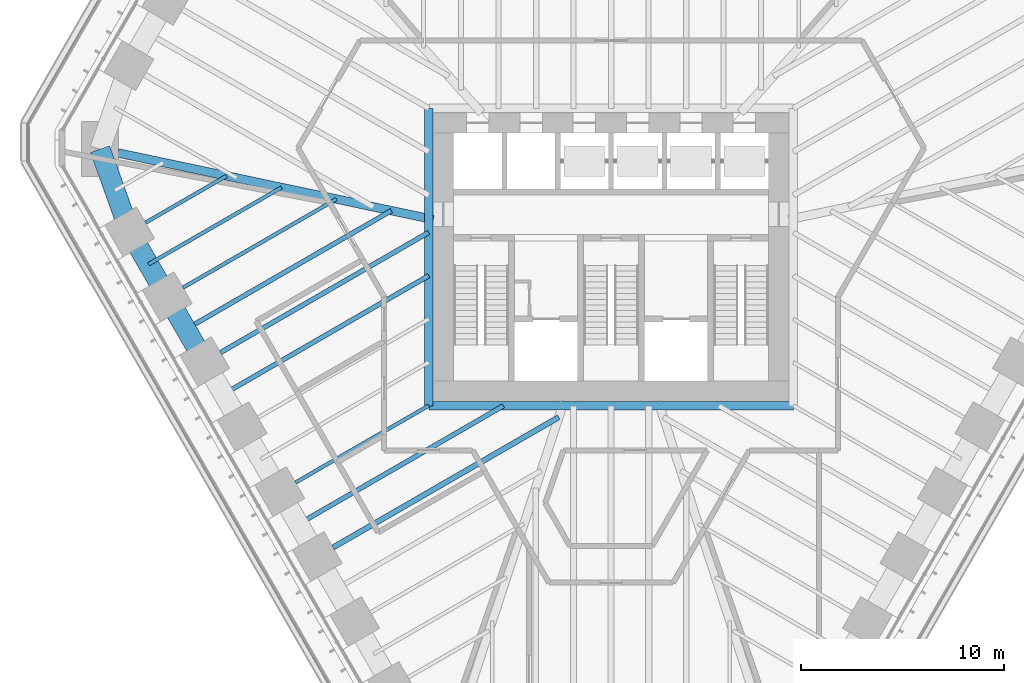
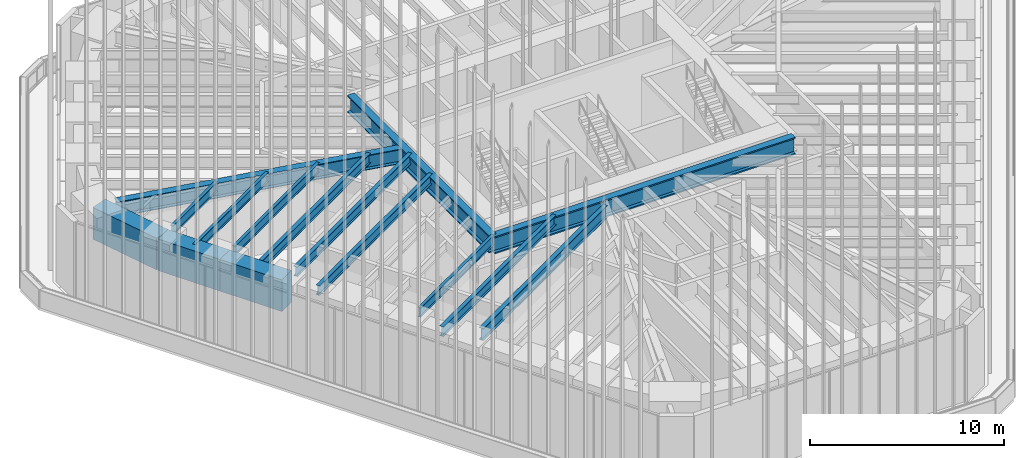
# One storey, part 68 of 228: 15 beams.
"""IFC4 building model written with IfcOpenShell, lengths in metres."""

from ifc_helpers import new_model, si_unit, direction, frame, origin, origin_2d, place, context, subcontext, project, spatial, rectangle, i_section, extrude, material, material_profile, profile_set, type_object, element, save


model = new_model("IFC4")

# Units and contexts
model_context = context("Model", 3, precision=1e-05, world=origin(), true_north=direction((0.0, 1.0)))
body_context = subcontext(model_context, "Body", "Model", "MODEL_VIEW")
ifc_project = project(units=[si_unit("LENGTHUNIT", "METRE"), si_unit("AREAUNIT", "SQUARE_METRE"), si_unit("VOLUMEUNIT", "CUBIC_METRE"), si_unit("PLANEANGLEUNIT", "RADIAN"), si_unit("MASSUNIT", "GRAM", prefix="KILO")], contexts=[model_context])

# Site, building, storey
site_placement = place(None, origin())
site = spatial("IfcSite", under=ifc_project, at=site_placement, CompositionType="ELEMENT")
building_placement = place(site_placement, origin())
building = spatial("IfcBuilding", under=site, at=building_placement, Name="Sandreach Pilgrim Tower", CompositionType="ELEMENT")
storey_placement = place(building_placement, frame((0.0, 0.0, 178.199951171875)))
storey = spatial("IfcBuildingStorey", under=building, at=storey_placement, Name="L44", CompositionType="ELEMENT", Elevation=178.199951171875)

# Beams
ifc_material_1 = material(Name="Steel ASTM A992 Grade 50", Category="steel")
ifc_material_profile_1 = material_profile(ifc_material_1, i_section(OverallWidth=0.424072265625, OverallDepth=1.09228515625, WebThickness=0.04541015625, FlangeThickness=0.08203125, at=origin_2d()), Name="W40X593")
ifc_profile_set_1 = profile_set([ifc_material_profile_1], Name="Steel ASTM A992 Grade 50")
beam_type_1 = type_object("IfcBeamType", Name="Core edge beam W40X593", PredefinedType="BEAM", material=ifc_profile_set_1)
beam_1_placement = place(storey_placement, frame((8.97216796875, -7.322021484375, 4.2939453125), z_axis=(-1.0, 0.0, 0.0), x_axis=(0.0, -1.0, 0.0)))
element("IfcBeam", 1, at=beam_1_placement, inside=storey, type_object=beam_type_1, Name="BM L44 CES", PredefinedType="BEAM", context=body_context, shape_type="SweptSolid", body=[
    extrude(i_section(OverallWidth=0.424072265625, OverallDepth=1.09228515625, WebThickness=0.04541015625, FlangeThickness=0.08203125, at=origin_2d()), origin(), (0.0, 0.0, 1.0), 17.9443359375),
])
beam_2_placement = place(storey_placement, frame((-8.97216796875, -7.322021484375, 4.2939453125), z_axis=(0.0, 1.0, 0.0), x_axis=(-1.0, 0.0, 0.0)))
element("IfcBeam", 2, at=beam_2_placement, inside=storey, type_object=beam_type_1, Name="BM L44 CEW", PredefinedType="BEAM", context=body_context, shape_type="SweptSolid", body=[
    extrude(i_section(OverallWidth=0.424072265625, OverallDepth=1.09228515625, WebThickness=0.04541015625, FlangeThickness=0.08203125, at=origin_2d()), origin(), (0.0, 0.0, 1.0), 14.64404296875),
])
ifc_material_2 = material(Name="Steel ASTM A992 Grade 50", Category="steel")
ifc_material_profile_2 = material_profile(ifc_material_2, i_section(OverallWidth=0.421630859375, OverallDepth=0.937255859375, WebThickness=0.0224609375, FlangeThickness=0.039794921875, at=origin_2d()), Name="W36X282")
ifc_profile_set_2 = profile_set([ifc_material_profile_2], Name="Steel ASTM A992 Grade 50")
beam_type_2 = type_object("IfcBeamType", Name="Corner girder W36X282", PredefinedType="BEAM", material=ifc_profile_set_2)
beam_3_placement = place(storey_placement, frame((-24.27587890625, 5.12548828125, 4.371337890625), z_axis=(0.978429308752, -0.206581915411, 0.0), x_axis=(0.206581915411, 0.978429308752, 0.0)))
element("IfcBeam", 3, at=beam_3_placement, inside=storey, type_object=beam_type_2, Name="BM L44 CG35", PredefinedType="BEAM", context=body_context, shape_type="SweptSolid", body=[
    extrude(i_section(OverallWidth=0.421630859375, OverallDepth=0.937255859375, WebThickness=0.0224609375, FlangeThickness=0.039794921875, at=origin_2d()), origin(), (0.0, 0.0, 1.0), 15.8681640625),
])
ifc_material_3 = material(Name="Steel ASTM A992 Grade 50", Category="steel")
ifc_material_profile_3 = material_profile(ifc_material_3, i_section(OverallWidth=0.1787109375, OverallDepth=0.60205078125, WebThickness=0.010986328125, FlangeThickness=0.014892578125, at=origin_2d()), Name="W24X62")
ifc_profile_set_3 = profile_set([ifc_material_profile_3], Name="Steel ASTM A992 Grade 50")
beam_type_3 = type_object("IfcBeamType", Name="Floor beam W24X62", PredefinedType="BEAM", material=ifc_profile_set_3)
beam_4_placement = place(storey_placement, frame((-15.531494140625, -11.098876953125, 4.5390625), z_axis=(0.866034750921, 0.499983809935, 0.0), x_axis=(-0.499983809935, 0.866034750921, 0.0)))
element("IfcBeam", 4, at=beam_4_placement, inside=storey, type_object=beam_type_3, Name="BM L44 F30", PredefinedType="BEAM", context=body_context, shape_type="SweptSolid", body=[
    extrude(i_section(OverallWidth=0.1787109375, OverallDepth=0.60205078125, WebThickness=0.010986328125, FlangeThickness=0.014892578125, at=origin_2d()), origin(), (0.0, 0.0, 1.0), 7.573974609375),
])
beam_5_placement = place(storey_placement, frame((-21.070068359375, -1.505615234375, 4.5390625), z_axis=(0.866018660621, 0.50001167932, 0.0), x_axis=(-0.50001167932, 0.866018660621, 0.0)))
element("IfcBeam", 5, at=beam_5_placement, inside=storey, type_object=beam_type_3, Name="BM L44 F33", PredefinedType="BEAM", context=body_context, shape_type="SweptSolid", body=[
    extrude(i_section(OverallWidth=0.1787109375, OverallDepth=0.60205078125, WebThickness=0.010986328125, FlangeThickness=0.014892578125, at=origin_2d()), origin(), (0.0, 0.0, 1.0), 8.719482421875),
])
beam_6_placement = place(storey_placement, frame((-22.91650390625, 1.692138671875, 4.5390625), z_axis=(0.866030286288, 0.49999154316, 0.0), x_axis=(-0.49999154316, 0.866030286288, 0.0)))
element("IfcBeam", 6, at=beam_6_placement, inside=storey, type_object=beam_type_3, Name="BM L44 F34", PredefinedType="BEAM", context=body_context, shape_type="SweptSolid", body=[
    extrude(i_section(OverallWidth=0.1787109375, OverallDepth=0.60205078125, WebThickness=0.010986328125, FlangeThickness=0.014892578125, at=origin_2d()), origin(), (0.0, 0.0, 1.0), 4.607421875),
])
beam_7_placement = place(storey_placement, frame((-22.772705078125, -0.356689453125, 4.5390625), z_axis=(0.866029704776, 0.49999255039, 0.0), x_axis=(-0.49999255039, 0.866029704776, 0.0)))
element("IfcBeam", 7, at=beam_7_placement, inside=storey, type_object=beam_type_3, Name="BM L44 FM33", PredefinedType="BEAM", context=body_context, shape_type="SweptSolid", body=[
    extrude(i_section(OverallWidth=0.1787109375, OverallDepth=0.60205078125, WebThickness=0.010986328125, FlangeThickness=0.014892578125, at=origin_2d()), origin(), (0.0, 0.0, 1.0), 7.5634765625),
])
ifc_material_4 = material(Name="Steel ASTM A992 Grade 50", Category="steel")
ifc_material_profile_4 = material_profile(ifc_material_4, i_section(OverallWidth=0.23046875, OverallDepth=0.6171875, WebThickness=0.01318359375, FlangeThickness=0.022216796875, at=origin_2d()), Name="W24X94")
ifc_profile_set_4 = profile_set([ifc_material_profile_4], Name="Steel ASTM A992 Grade 50")
beam_type_4 = type_object("IfcBeamType", Name="Floor beam W24X94", PredefinedType="BEAM", material=ifc_profile_set_4)
beam_8_placement = place(storey_placement, frame((-19.223876953125, -4.703369140625, 4.531494140625), z_axis=(0.86602107386, 0.500007499575, 0.0), x_axis=(-0.500007499575, 0.86602107386, 0.0)))
element("IfcBeam", 8, at=beam_8_placement, inside=storey, type_object=beam_type_4, Name="BM L44 F32", PredefinedType="BEAM", context=body_context, shape_type="SweptSolid", body=[
    extrude(i_section(OverallWidth=0.23046875, OverallDepth=0.6171875, WebThickness=0.01318359375, FlangeThickness=0.022216796875, at=origin_2d()), origin(), (0.0, 0.0, 1.0), 11.837646484375),
])
beam_9_placement = place(storey_placement, frame((-15.3876953125, -13.14794921875, 4.531494140625), z_axis=(0.866015301732, 0.50001749686, 0.0), x_axis=(-0.50001749686, 0.866015301732, 0.0)))
element("IfcBeam", 9, at=beam_9_placement, inside=storey, type_object=beam_type_4, Name="BM L44 FM29", PredefinedType="BEAM", context=body_context, shape_type="SweptSolid", body=[
    extrude(i_section(OverallWidth=0.23046875, OverallDepth=0.6171875, WebThickness=0.01318359375, FlangeThickness=0.022216796875, at=origin_2d()), origin(), (0.0, 0.0, 1.0), 11.6513671875),
])
beam_10_placement = place(storey_placement, frame((-19.080322265625, -6.752197265625, 4.531494140625), z_axis=(0.866025704444, 0.499999479242, 0.0), x_axis=(-0.499999479242, 0.866025704444, 0.0)))
element("IfcBeam", 10, at=beam_10_placement, inside=storey, type_object=beam_type_4, Name="BM L44 FM31", PredefinedType="BEAM", context=body_context, shape_type="SweptSolid", body=[
    extrude(i_section(OverallWidth=0.23046875, OverallDepth=0.6171875, WebThickness=0.01318359375, FlangeThickness=0.022216796875, at=origin_2d()), origin(), (0.0, 0.0, 1.0), 11.671875),
])
beam_11_placement = place(storey_placement, frame((-20.926513671875, -3.554443359375, 4.531494140625), z_axis=(0.866026454974, 0.499998179282, 0.0), x_axis=(-0.499998179282, 0.866026454974, 0.0)))
element("IfcBeam", 11, at=beam_11_placement, inside=storey, type_object=beam_type_4, Name="BM L44 FM32", PredefinedType="BEAM", context=body_context, shape_type="SweptSolid", body=[
    extrude(i_section(OverallWidth=0.23046875, OverallDepth=0.6171875, WebThickness=0.01318359375, FlangeThickness=0.022216796875, at=origin_2d()), origin(), (0.0, 0.0, 1.0), 11.67578125),
])
ifc_material_5 = material(Name="Steel ASTM A992 Grade 50", Category="steel")
ifc_material_profile_5 = material_profile(ifc_material_5, i_section(OverallWidth=0.2666015625, OverallDepth=0.761962890625, WebThickness=0.014404296875, FlangeThickness=0.021484375, at=origin_2d()), Name="W30X116")
ifc_profile_set_5 = profile_set([ifc_material_profile_5], Name="Steel ASTM A992 Grade 50")
beam_type_5 = type_object("IfcBeamType", Name="Floor beam W30X116", PredefinedType="BEAM", material=ifc_profile_set_5)
beam_12_placement = place(storey_placement, frame((-13.685302734375, -14.296630859375, 4.458984375), z_axis=(0.866032238029, 0.499988162555, 0.0), x_axis=(-0.499988162555, 0.866032238029, 0.0)))
element("IfcBeam", 12, at=beam_12_placement, inside=storey, type_object=beam_type_5, Name="BM L44 F29", PredefinedType="BEAM", context=body_context, shape_type="SweptSolid", body=[
    extrude(i_section(OverallWidth=0.2666015625, OverallDepth=0.761962890625, WebThickness=0.014404296875, FlangeThickness=0.021484375, at=origin_2d()), origin(), (0.0, 0.0, 1.0), 12.831787109375),
])
ifc_material_6 = material(Name="Concrete 10000 psi", Category="concrete")
ifc_material_profile_6 = material_profile(ifc_material_6, rectangle(XDim=1.0, YDim=2.0, at=origin_2d()), Name="RC1000X2000")
ifc_profile_set_6 = profile_set([ifc_material_profile_6], Name="Concrete 10000 psi")
beam_type_6 = type_object("IfcBeamType", Name="Spandrel beam RC1000X2000", PredefinedType="SPANDREL", material=ifc_profile_set_6)
for number, where, z_axis, x_axis, name in (
    (13, (-20.00341796875, -5.1533203125, 3.840087890625), (-0.499993363642, 0.866029235253, 0.0), (-0.866029235253, -0.499993363642, 0.0), "BM L44 SP32"),
    (14, (-21.849609375, -1.95556640625, 3.840087890625), (-0.499993363642, 0.866029235253, 0.0), (-0.866029235253, -0.499993363642, 0.0), "BM L44 SP33"),
):
    element("IfcBeam", number, at=place(storey_placement, frame(where, z_axis=z_axis, x_axis=x_axis)), inside=storey, type_object=beam_type_6, Name=name, PredefinedType="SPANDREL", context=body_context, shape_type="SweptSolid", body=[
        extrude(rectangle(XDim=1.0, YDim=2.0, at=origin_2d()), origin(), (0.0, 0.0, 1.0), 3.6923828125),
    ])
beam_13_placement = place(storey_placement, frame((-23.69580078125, 1.2421875, 3.840087890625), z_axis=(-0.337863470932, 0.941195131208, 0.0), x_axis=(-0.941195131208, -0.337863470932, 0.0)))
element("IfcBeam", 15, at=beam_13_placement, inside=storey, type_object=beam_type_6, Name="BM L44 SP34", PredefinedType="SPANDREL", context=body_context, shape_type="SweptSolid", body=[
    extrude(rectangle(XDim=1.0, YDim=2.0, at=origin_2d()), origin(), (0.0, 0.0, 1.0), 4.3232421875),
])

save(model, "model.ifc")
